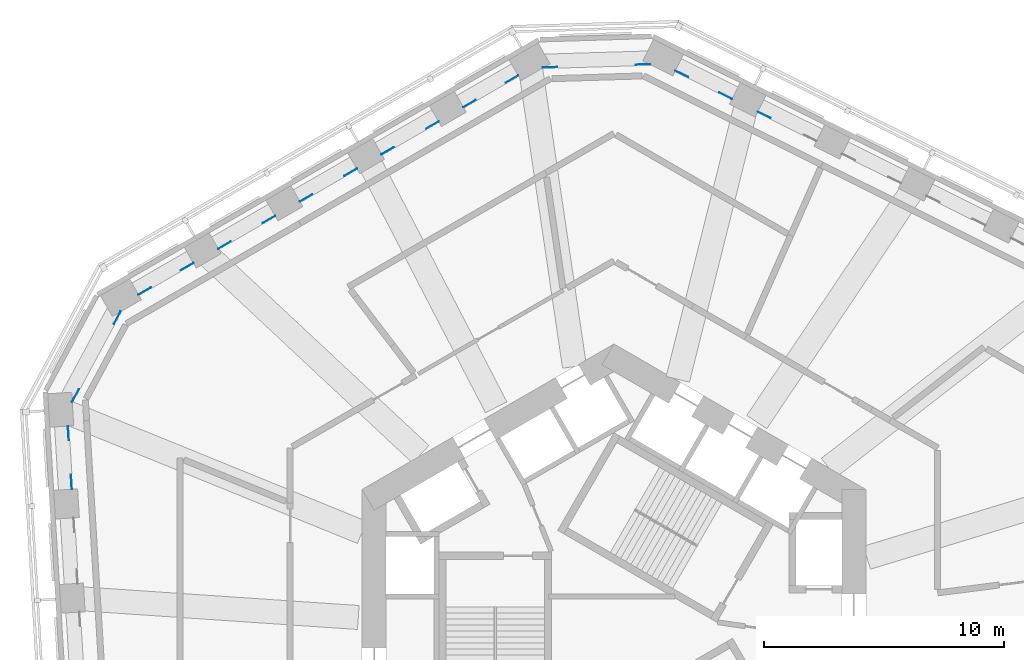
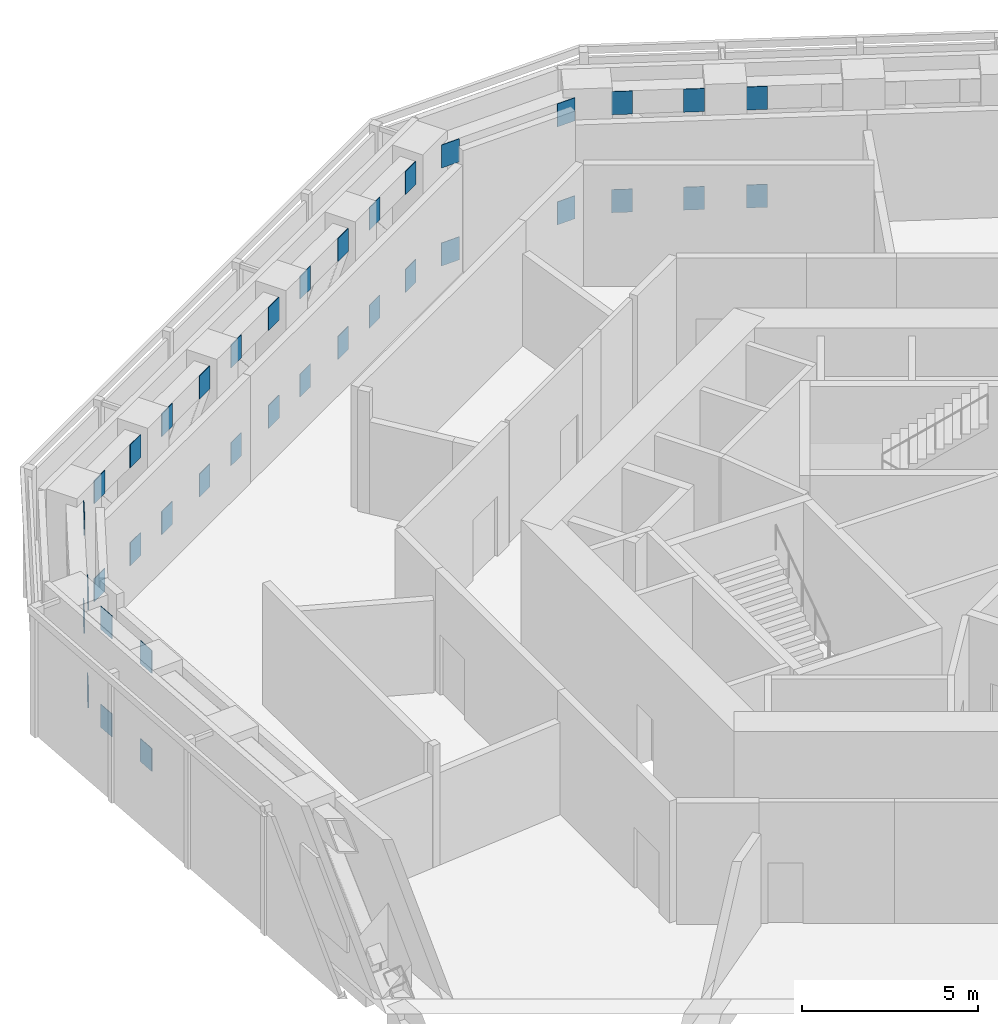
# One storey, part 12 of 15: 38 discrete accessories.
"""IFC4 building model written with IfcOpenShell, lengths in metres."""

from ifc_helpers import new_model, si_unit, direction, frame, origin, origin_2d, place, context, subcontext, project, spatial, rectangle, extrude, material, layer, layer_set, type_object, element, save


model = new_model("IFC4")

# Units and contexts
model_context = context("Model", 3, precision=1e-05, world=origin(), true_north=direction((0.0, 1.0)))
body_context = subcontext(model_context, "Body", "Model", "MODEL_VIEW")
ifc_project = project(units=[si_unit("LENGTHUNIT", "METRE"), si_unit("AREAUNIT", "SQUARE_METRE"), si_unit("VOLUMEUNIT", "CUBIC_METRE"), si_unit("PLANEANGLEUNIT", "RADIAN"), si_unit("MASSUNIT", "GRAM", prefix="KILO")], contexts=[model_context])

# Site, building, storey
site_placement = place(None, origin())
site = spatial("IfcSite", under=ifc_project, at=site_placement, CompositionType="ELEMENT")
building_placement = place(site_placement, origin())
building = spatial("IfcBuilding", under=site, at=building_placement, Name="Vanh Sen Convention Tower", CompositionType="ELEMENT")
storey_placement = place(building_placement, frame((0.0, 0.0, 119.89990234375)))
storey = spatial("IfcBuildingStorey", under=building, at=storey_placement, Name="L29", CompositionType="ELEMENT", Elevation=119.89990234375)

# Discrete accessories
ifc_material = material(Name="Steel S355", Category="steel")
ifc_layer = layer(ifc_material, 0.02001953125)
ifc_layer_set = layer_set([ifc_layer], Name="Steel S355")
discrete_accessory_type = type_object("IfcDiscreteAccessoryType", Name="Belt truss gusset plate 600 x 800 x 20", PredefinedType="USERDEFINED", material=ifc_layer_set)
for number, where, z_axis, x_axis, name in (
    (1, (6.259033203125, 21.674560546875, 0.0), (0.0, 0.0, 1.0), (0.894935140363, -0.446196251154, 0.0), "GUSSET PLATE belt truss chord bottom 10 L29 end"),
    (2, (6.259033203125, 21.674560546875, 3.39990234375), (0.0, 0.0, 1.0), (0.894935140363, -0.446196251154, 0.0), "GUSSET PLATE belt truss chord top 10 L29 end"),
    (3, (4.656982421875, 22.47314453125, 0.0), (0.0, 0.0, 1.0), (-0.894935140363, 0.446196251154, 0.0), "GUSSET PLATE belt truss chord bottom 11 L29 start"),
    (4, (2.827392578125, 23.385498046875, 0.0), (0.0, 0.0, 1.0), (0.894935140363, -0.446196251154, 0.0), "GUSSET PLATE belt truss chord bottom 11 L29 end"),
    (5, (4.656982421875, 22.47314453125, 3.39990234375), (0.0, 0.0, 1.0), (-0.894935140363, 0.446196251154, 0.0), "GUSSET PLATE belt truss chord top 11 L29 start"),
    (6, (2.827392578125, 23.385498046875, 3.39990234375), (0.0, 0.0, 1.0), (0.894935140363, -0.446196251154, 0.0), "GUSSET PLATE belt truss chord top 11 L29 end"),
    (7, (1.21240234375, 23.7763671875, 0.0), (0.0, 0.0, 1.0), (-0.999533644135, -0.030536768695, 0.0), "GUSSET PLATE belt truss chord bottom 12 L29 start"),
    (8, (-2.66162109375, 23.657958984375, 0.0), (0.0, 0.0, 1.0), (0.999533644135, 0.030536768695, 0.0), "GUSSET PLATE belt truss chord bottom 12 L29 end"),
    (9, (1.21240234375, 23.7763671875, 3.39990234375), (0.0, 0.0, 1.0), (-0.999533644135, -0.030536768695, 0.0), "GUSSET PLATE belt truss chord top 12 L29 start"),
    (10, (-2.66162109375, 23.657958984375, 3.39990234375), (0.0, 0.0, 1.0), (0.999533644135, 0.030536768695, 0.0), "GUSSET PLATE belt truss chord top 12 L29 end"),
    (11, (-4.249755859375, 23.169189453125, 0.0), (0.0, 0.0, 1.0), (-0.866028021766, -0.499995465495, 0.0), "GUSSET PLATE belt truss chord bottom 13 L29 start"),
    (12, (-6.0205078125, 22.14697265625, 0.0), (0.0, 0.0, 1.0), (0.866028021766, 0.499995465495, 0.0), "GUSSET PLATE belt truss chord bottom 13 L29 end"),
    (13, (-4.249755859375, 23.169189453125, 3.39990234375), (0.0, 0.0, 1.0), (-0.866028021766, -0.499995465495, 0.0), "GUSSET PLATE belt truss chord top 13 L29 start"),
    (14, (-6.0205078125, 22.14697265625, 3.39990234375), (0.0, 0.0, 1.0), (0.866028021766, 0.499995465495, 0.0), "GUSSET PLATE belt truss chord top 13 L29 end"),
    (15, (-7.570556640625, 21.251953125, 0.0), (0.0, 0.0, 1.0), (-0.866021040428, -0.500007557478, 0.0), "GUSSET PLATE belt truss chord bottom 14 L29 start"),
    (16, (-9.427734375, 20.1796875, 0.0), (0.0, 0.0, 1.0), (0.866021040428, 0.500007557478, 0.0), "GUSSET PLATE belt truss chord bottom 14 L29 end"),
    (17, (-7.570556640625, 21.251953125, 3.39990234375), (0.0, 0.0, 1.0), (-0.866021040428, -0.500007557478, 0.0), "GUSSET PLATE belt truss chord top 14 L29 start"),
    (18, (-9.427734375, 20.1796875, 3.39990234375), (0.0, 0.0, 1.0), (0.866021040428, 0.500007557478, 0.0), "GUSSET PLATE belt truss chord top 14 L29 end"),
    (19, (-10.97802734375, 19.28466796875, 0.0), (0.0, 0.0, 1.0), (-0.866028021766, -0.499995465495, 0.0), "GUSSET PLATE belt truss chord bottom 15 L29 start"),
    (20, (-12.835205078125, 18.21240234375, 0.0), (0.0, 0.0, 1.0), (0.866028021766, 0.499995465495, 0.0), "GUSSET PLATE belt truss chord bottom 15 L29 end"),
    (21, (-10.97802734375, 19.28466796875, 3.39990234375), (0.0, 0.0, 1.0), (-0.866028021766, -0.499995465495, 0.0), "GUSSET PLATE belt truss chord top 15 L29 start"),
    (22, (-12.835205078125, 18.21240234375, 3.39990234375), (0.0, 0.0, 1.0), (0.866028021766, 0.499995465495, 0.0), "GUSSET PLATE belt truss chord top 15 L29 end"),
    (23, (-14.385498046875, 17.3173828125, 0.0), (0.0, 0.0, 1.0), (-0.866028021766, -0.499995465495, 0.0), "GUSSET PLATE belt truss chord bottom 16 L29 start"),
    (24, (-16.242919921875, 16.2451171875, 0.0), (0.0, 0.0, 1.0), (0.866028021766, 0.499995465495, 0.0), "GUSSET PLATE belt truss chord bottom 16 L29 end"),
    (25, (-14.385498046875, 17.3173828125, 3.39990234375), (0.0, 0.0, 1.0), (-0.866028021766, -0.499995465495, 0.0), "GUSSET PLATE belt truss chord top 16 L29 start"),
    (26, (-16.242919921875, 16.2451171875, 3.39990234375), (0.0, 0.0, 1.0), (0.866028021766, 0.499995465495, 0.0), "GUSSET PLATE belt truss chord top 16 L29 end"),
    (27, (-17.79296875, 15.35009765625, 0.0), (0.0, 0.0, 1.0), (-0.866021040428, -0.500007557478, 0.0), "GUSSET PLATE belt truss chord bottom 17 L29 start"),
    (28, (-19.563720703125, 14.32763671875, 0.0), (0.0, 0.0, 1.0), (0.866021040428, 0.500007557478, 0.0), "GUSSET PLATE belt truss chord bottom 17 L29 end"),
    (29, (-17.79296875, 15.35009765625, 3.39990234375), (0.0, 0.0, 1.0), (-0.866021040428, -0.500007557478, 0.0), "GUSSET PLATE belt truss chord top 17 L29 start"),
    (30, (-19.563720703125, 14.32763671875, 3.39990234375), (0.0, 0.0, 1.0), (0.866021040428, 0.500007557478, 0.0), "GUSSET PLATE belt truss chord top 17 L29 end"),
    (31, (-20.708984375, 13.2197265625, 0.0), (0.0, 0.0, 1.0), (-0.473316592293, -0.880892390397, 0.0), "GUSSET PLATE belt truss chord bottom 18 L29 start"),
    (32, (-22.453857421875, 9.972412109375, 0.0), (0.0, 0.0, 1.0), (0.473316592293, 0.880892390397, 0.0), "GUSSET PLATE belt truss chord bottom 18 L29 end"),
    (33, (-20.708984375, 13.2197265625, 3.39990234375), (0.0, 0.0, 1.0), (-0.473316592293, -0.880892390397, 0.0), "GUSSET PLATE belt truss chord top 18 L29 start"),
    (34, (-22.453857421875, 9.972412109375, 3.39990234375), (0.0, 0.0, 1.0), (0.473316592293, 0.880892390397, 0.0), "GUSSET PLATE belt truss chord top 18 L29 end"),
    (35, (-22.74560546875, 8.40576171875, 0.0), (0.0, 0.0, 1.0), (0.061046797461, -0.99813490497, 0.0), "GUSSET PLATE belt truss chord bottom 19 L29 start"),
    (36, (-22.62060546875, 6.364990234375, 0.0), (0.0, 0.0, 1.0), (-0.061046797461, 0.99813490497, 0.0), "GUSSET PLATE belt truss chord bottom 19 L29 end"),
    (37, (-22.74560546875, 8.40576171875, 3.39990234375), (0.0, 0.0, 1.0), (0.061046797461, -0.99813490497, 0.0), "GUSSET PLATE belt truss chord top 19 L29 start"),
    (38, (-22.62060546875, 6.364990234375, 3.39990234375), (0.0, 0.0, 1.0), (-0.061046797461, 0.99813490497, 0.0), "GUSSET PLATE belt truss chord top 19 L29 end"),
):
    element("IfcDiscreteAccessory", number, at=place(storey_placement, frame(where, z_axis=z_axis, x_axis=x_axis)), inside=storey, type_object=discrete_accessory_type, Name=name, ObjectType="GUSSET PLATE", PredefinedType="USERDEFINED", context=body_context, shape_type="SweptSolid", body=[
        extrude(rectangle(XDim=0.60009765625, YDim=0.02001953125, at=origin_2d()), origin(), (0.0, 0.0, 1.0), 0.800048828125),
    ])

save(model, "model.ifc")
